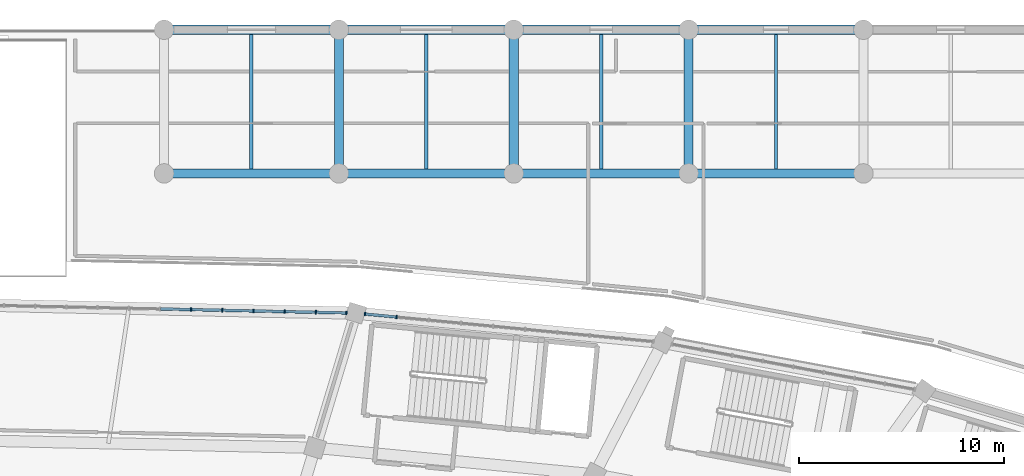
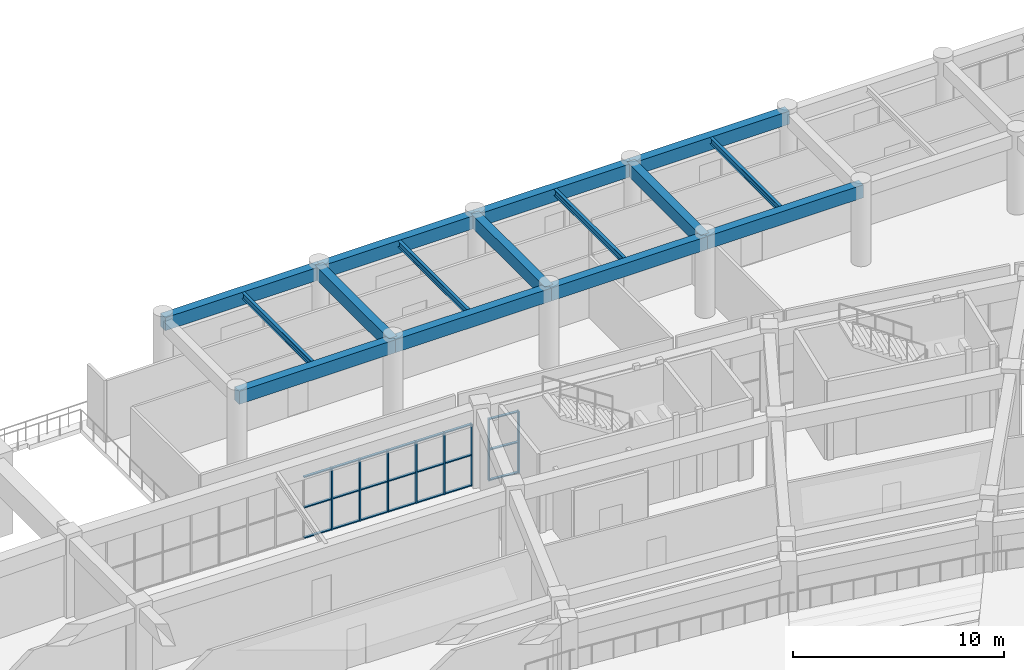
# One storey, part 73 of 152: 29 members, 15 beams, 2 elements without a shape of their own.
"""IFC4 building model written with IfcOpenShell, lengths in metres."""

import ifcopenshell
import ifcopenshell.guid

model = None  # the IFC model being written
_history = None  # IfcOwnerHistory: only IFC2X3 demands one
_inside = {}  # id of a spatial element -> (the spatial element, [elements in it])
_under = {}  # id of a project, library or spatial element -> (it, [spatial elements below it])
_declared = {}  # id of a project -> (the project, [libraries it declares])
_typed = {}  # id of a type object -> (the type object, [elements of that type])
_made_of = {}  # id of a material, layer set ... -> (it, [elements and type objects made of it])


def new_model(schema):
    """Start an empty IFC model of exactly this schema.

    Asked for "IFC4X3", IfcOpenShell would pick the latest addendum, in which some entities
    have other attributes; the version numbers below select the first issue.
    IFC2X3 requires an IfcOwnerHistory on every rooted entity: one is made here for all.
    """
    global model, _history
    if schema == "IFC4X3":
        model = ifcopenshell.file(schema_version=(4, 3, 0, 0))
    else:
        model = ifcopenshell.file(schema=schema)
    _inside.clear()
    _under.clear()
    _declared.clear()
    _typed.clear()
    _made_of.clear()
    _history = None
    if model.schema == "IFC2X3":
        org = make("IfcOrganization", Name="unknown")
        user = make(
            "IfcPersonAndOrganization",
            ThePerson=make("IfcPerson", FamilyName="unknown"),
            TheOrganization=org,
        )
        app = make(
            "IfcApplication",
            ApplicationDeveloper=org,
            Version="unknown",
            ApplicationFullName="unknown",
            ApplicationIdentifier="unknown",
        )
        _history = make(
            "IfcOwnerHistory",
            OwningUser=user,
            OwningApplication=app,
            ChangeAction="ADDED",
            CreationDate=0,
        )
    return model


def make(cls, **values):
    """One entity of the class cls with the attributes given. An attribute that is None is left unset."""
    return model.create_entity(
        cls, **{name: value for name, value in values.items() if value is not None}
    )


def rooted(cls, **values):
    """An entity with a GlobalId (a new one), such as an element, a storey or a relation."""
    return make(cls, GlobalId=ifcopenshell.guid.new(), OwnerHistory=_history, **values)


def si_unit(unit_type, name, prefix=None):
    """IfcSIUnit, for example si_unit("LENGTHUNIT", "METRE", prefix="MILLI")."""
    return make("IfcSIUnit", UnitType=unit_type, Prefix=prefix, Name=name)


def assignment(units):
    """IfcUnitAssignment: the units of a project."""
    return None if units is None else make("IfcUnitAssignment", Units=units)


def point(xyz):
    """IfcCartesianPoint."""
    return None if xyz is None else make("IfcCartesianPoint", Coordinates=xyz)


def direction(xyz):
    """IfcDirection."""
    return None if xyz is None else make("IfcDirection", DirectionRatios=xyz)


def frame(location, z_axis=None, x_axis=None):
    """IfcAxis2Placement3D, a coordinate frame: its origin and axes. An axis left out is left unset."""
    return make(
        "IfcAxis2Placement3D",
        Location=point(location),
        Axis=direction(z_axis),
        RefDirection=direction(x_axis),
    )


def frame_2d(location, x_axis=None):
    """IfcAxis2Placement2D, a coordinate frame in the plane: its origin and x axis."""
    return make(
        "IfcAxis2Placement2D", Location=point(location), RefDirection=direction(x_axis)
    )


def origin():
    """The frame at (0, 0, 0) with its axes left unset."""
    return frame((0.0, 0.0, 0.0))


def origin_2d():
    """The frame at (0, 0) in the plane with its x axis left unset."""
    return frame_2d((0.0, 0.0))


def place(relative_to, where):
    """IfcLocalPlacement: puts the frame where relative to a parent placement (None: the world)."""
    return make(
        "IfcLocalPlacement", PlacementRelTo=relative_to, RelativePlacement=where
    )


def context(
    kind, dimensions, precision=None, world=None, true_north=None, identifier=None
):
    """IfcGeometricRepresentationContext, for example the 3D "Model" context."""
    return make(
        "IfcGeometricRepresentationContext",
        ContextIdentifier=identifier,
        ContextType=kind,
        CoordinateSpaceDimension=dimensions,
        Precision=precision,
        WorldCoordinateSystem=world,
        TrueNorth=true_north,
    )


def subcontext(parent, identifier, kind, view, scale=None):
    """IfcGeometricRepresentationSubContext, for example "Body" below "Model"."""
    return make(
        "IfcGeometricRepresentationSubContext",
        ContextIdentifier=identifier,
        ContextType=kind,
        ParentContext=parent,
        TargetScale=scale,
        TargetView=view,
    )


def project(units=None, contexts=None):
    """IfcProject with its units and contexts."""
    return rooted(
        "IfcProject",
        Name="project",
        RepresentationContexts=contexts,
        UnitsInContext=assignment(units),
    )


def spatial(cls, under=None, at=None, **own):
    """A site, building, storey or space (cls), placed at a placement, below another one or the project."""
    s = rooted(cls, ObjectPlacement=at, **own)
    if under is not None:
        _under.setdefault(under.id(), (under, []))[1].append(s)
    return s


def profile(cls, at=None, kind="AREA", **sizes):
    """A parametric profile (cls). Its sizes go by their IFC names, for example OverallWidth=200.0."""
    return make(cls, ProfileType=kind, Position=at, **sizes)


def rectangle(**sizes):
    """IfcRectangleProfileDef."""
    return profile("IfcRectangleProfileDef", **sizes)


def i_section(**sizes):
    """IfcIShapeProfileDef."""
    return profile("IfcIShapeProfileDef", **sizes)


def extrude(swept, where, along, depth):
    """IfcExtrudedAreaSolid: the profile swept, set in the frame where, extruded along a direction by depth."""
    return make(
        "IfcExtrudedAreaSolid",
        SweptArea=swept,
        Position=where,
        ExtrudedDirection=direction(along),
        Depth=depth,
    )


def shape(context_of_items, identifier, shape_type, items):
    """IfcShapeRepresentation: the items that make up one representation, for example the "Body"."""
    return make(
        "IfcShapeRepresentation",
        ContextOfItems=context_of_items,
        RepresentationIdentifier=identifier,
        RepresentationType=shape_type,
        Items=items,
    )


def material(Name=None, Category=None):
    """IfcMaterial."""
    return make("IfcMaterial", Name=Name, Category=Category)


def layer(
    of_material, thickness, ventilated=None, Name=None, Category=None, Priority=None
):
    """IfcMaterialLayer: one layer of a wall or slab, of a material (None: an air gap)."""
    return make(
        "IfcMaterialLayer",
        Material=of_material,
        LayerThickness=thickness,
        IsVentilated=ventilated,
        Name=Name,
        Category=Category,
        Priority=Priority,
    )


def layer_set(layers, Name=None):
    """IfcMaterialLayerSet."""
    return make("IfcMaterialLayerSet", MaterialLayers=layers, LayerSetName=Name)


def material_profile(
    of_material, cross_section, Name=None, Category=None, Priority=None
):
    """IfcMaterialProfile: a cross section and its material."""
    return make(
        "IfcMaterialProfile",
        Name=Name,
        Material=of_material,
        Profile=cross_section,
        Priority=Priority,
        Category=Category,
    )


def profile_set(profiles, Name=None, composite=None):
    """IfcMaterialProfileSet."""
    return make(
        "IfcMaterialProfileSet",
        Name=Name,
        MaterialProfiles=profiles,
        CompositeProfile=composite,
    )


def made_of(thing, what):
    """Note that an element or type object is made of a material, layer set ...; save() writes the relation."""
    if what is not None:
        _made_of.setdefault(what.id(), (what, []))[1].append(thing)
    return thing


def type_object(cls, material=None, **own):
    """A type object (cls), such as IfcWallType, which elements share."""
    return made_of(rooted(cls, **own), material)


def element(
    cls,
    number,
    at=None,
    inside=None,
    cuts=None,
    type_object=None,
    material=None,
    context=None,
    identifier="Body",
    shape_type=None,
    held_by="IfcProductDefinitionShape",
    body=None,
    shapes=None,
    **own,
):
    """One element of the class cls, such as IfcWall. Its Tag is "e" and its number.

    at: its placement. inside: the storey or other place that contains it. cuts: it is an
    opening in that element (IfcRelVoidsElement). A single representation is given by context,
    identifier, shape_type and body (its items); several are given by shapes. held_by: the class
    of the entity that holds the representations. save() writes the other relations.
    """
    e = rooted(cls, Tag="e%d" % number, ObjectPlacement=at, **own)
    if body is not None:
        shapes = [shape(context, identifier, shape_type, body)]
    if shapes is not None:
        e.Representation = make(held_by, Representations=shapes)
    if inside is not None:
        _inside.setdefault(inside.id(), (inside, []))[1].append(e)
    if cuts is not None:
        rooted(
            "IfcRelVoidsElement", RelatingBuildingElement=cuts, RelatedOpeningElement=e
        )
    if type_object is not None:
        _typed.setdefault(type_object.id(), (type_object, []))[1].append(e)
    return made_of(e, material)


def aggregate(whole, parts):
    """IfcRelAggregates: a whole, such as a stair, and the parts it consists of."""
    return rooted("IfcRelAggregates", RelatingObject=whole, RelatedObjects=parts)


def save(model, path):
    """Write the relations noted so far, then the file.

    IfcRelAggregates (storeys below a building ...), IfcRelContainedInSpatialStructure (elements
    in a storey), IfcRelDefinesByType, IfcRelAssociatesMaterial and IfcRelDeclares: one each for
    every whole, place, type object, material and project.
    """
    for whole, parts in _under.values():
        aggregate(whole, parts)
    for where, things in _inside.values():
        rooted(
            "IfcRelContainedInSpatialStructure",
            RelatedElements=things,
            RelatingStructure=where,
        )
    for kind, things in _typed.values():
        rooted("IfcRelDefinesByType", RelatedObjects=things, RelatingType=kind)
    for what, things in _made_of.values():
        rooted("IfcRelAssociatesMaterial", RelatedObjects=things, RelatingMaterial=what)
    for by, libraries in _declared.values():
        rooted("IfcRelDeclares", RelatingContext=by, RelatedDefinitions=libraries)
    model.write(path)


model = new_model("IFC4")

# Units and contexts
model_context = context("Model", 3, precision=1e-05, world=origin(), true_north=direction((0.0, 1.0)))
body_context = subcontext(model_context, "Body", "Model", "MODEL_VIEW")
ifc_project = project(units=[si_unit("LENGTHUNIT", "METRE"), si_unit("AREAUNIT", "SQUARE_METRE"), si_unit("VOLUMEUNIT", "CUBIC_METRE"), si_unit("PLANEANGLEUNIT", "RADIAN"), si_unit("MASSUNIT", "GRAM", prefix="KILO")], contexts=[model_context])

# Site, building, storey
site_placement = place(None, origin())
site = spatial("IfcSite", under=ifc_project, at=site_placement, CompositionType="ELEMENT")
building_placement = place(site_placement, origin())
building = spatial("IfcBuilding", under=site, at=building_placement, Name="Mphavela Belvedere Stadium", CompositionType="ELEMENT")
storey_placement = place(building_placement, frame((0.0, 0.0, 5.39990234375)))
storey = spatial("IfcBuildingStorey", under=building, at=storey_placement, Name="L01", CompositionType="ELEMENT", Elevation=5.39990234375)

# Beams
ifc_material_1 = material(Name="Steel S355", Category="steel")
ifc_material_profile_1 = material_profile(ifc_material_1, i_section(OverallWidth=0.169921875, OverallDepth=0.360107421875, WebThickness=0.008056640625, FlangeThickness=0.0126953125, at=origin_2d()), Name="IPE 360")
ifc_profile_set_1 = profile_set([ifc_material_profile_1], Name="Steel S355")
beam_type_1 = type_object("IfcBeamType", Name="BM-JOIST-IPE360", PredefinedType="JOIST", material=ifc_profile_set_1)
for number, where, z_axis, x_axis, name in (
    (1, (132.037109375, 167.22509765625, 4.360107421875), (0.0, 1.0, 0.0), (-1.0, 0.0, 0.0), "North Mast and Ceremonial End Forecourt secondary joist L01 16-7"),
    (2, (140.555419921875, 167.22509765625, 4.360107421875), (0.0, 1.0, 0.0), (-1.0, 0.0, 0.0), "North Mast and Ceremonial End Forecourt secondary joist L01 17-7"),
    (3, (149.073974609375, 167.22509765625, 4.360107421875), (0.0, 1.0, 0.0), (-1.0, 0.0, 0.0), "North Mast and Ceremonial End Forecourt secondary joist L01 18-7"),
    (4, (157.592529296875, 167.22509765625, 4.360107421875), (0.0, 1.0, 0.0), (-1.0, 0.0, 0.0), "North Mast and Ceremonial End Forecourt secondary joist L01 19-7"),
):
    element("IfcBeam", number, at=place(storey_placement, frame(where, z_axis=z_axis, x_axis=x_axis)), inside=storey, type_object=beam_type_1, Name=name, PredefinedType="JOIST", context=body_context, shape_type="SweptSolid", body=[
        extrude(i_section(OverallWidth=0.169921875, OverallDepth=0.360107421875, WebThickness=0.008056640625, FlangeThickness=0.0126953125, at=origin_2d()), origin(), (0.0, 0.0, 1.0), 6.5498046875),
    ])
ifc_material_2 = material(Name="Concrete C40/50", Category="concrete")
ifc_material_profile_2 = material_profile(ifc_material_2, rectangle(XDim=0.449951171875, YDim=0.75, at=origin_2d()), Name="RC 450x750")
ifc_profile_set_2 = profile_set([ifc_material_profile_2], Name="Concrete C40/50")
beam_type_2 = type_object("IfcBeamType", Name="BM-RC450x750", PredefinedType="BEAM", material=ifc_profile_set_2)
for number, where, z_axis, x_axis, name in (
    (5, (127.778076171875, 167.0, 4.1650390625), (1.0, 0.0, 0.0), (0.0, 1.0, 0.0), "North Mast and Ceremonial End Forecourt entablature beam X L01 16-7"),
    (6, (127.778076171875, 174.0, 4.1650390625), (1.0, 0.0, 0.0), (0.0, 1.0, 0.0), "North Mast and Ceremonial End Forecourt entablature beam X L01 16-8"),
):
    element("IfcBeam", number, at=place(storey_placement, frame(where, z_axis=z_axis, x_axis=x_axis)), inside=storey, type_object=beam_type_2, Name=name, PredefinedType="BEAM", context=body_context, shape_type="SweptSolid", body=[
        extrude(rectangle(XDim=0.449951171875, YDim=0.75, at=origin_2d()), origin(), (0.0, 0.0, 1.0), 8.517822265625),
    ])
beam_1_placement = place(storey_placement, frame((136.2958984375, 167.0, 4.1650390625), z_axis=(1.0, 0.0, 0.0), x_axis=(0.0, 1.0, 0.0)))
element("IfcBeam", 7, at=beam_1_placement, inside=storey, type_object=beam_type_2, Name="North Mast and Ceremonial End Forecourt entablature beam X L01 17-7", PredefinedType="BEAM", context=body_context, shape_type="SweptSolid", body=[
    extrude(rectangle(XDim=0.449951171875, YDim=0.75, at=origin_2d()), origin(), (0.0, 0.0, 1.0), 8.51904296875),
])
beam_2_placement = place(storey_placement, frame((136.2958984375, 167.0, 4.1650390625), z_axis=(0.0, 1.0, 0.0), x_axis=(-1.0, 0.0, 0.0)))
element("IfcBeam", 8, at=beam_2_placement, inside=storey, type_object=beam_type_2, Name="North Mast and Ceremonial End Forecourt entablature beam Y L01 17-7", PredefinedType="BEAM", context=body_context, shape_type="SweptSolid", body=[
    extrude(rectangle(XDim=0.449951171875, YDim=0.75, at=origin_2d()), origin(), (0.0, 0.0, 1.0), 7.0),
])
beam_3_placement = place(storey_placement, frame((136.2958984375, 174.0, 4.1650390625), z_axis=(1.0, 0.0, 0.0), x_axis=(0.0, 1.0, 0.0)))
element("IfcBeam", 9, at=beam_3_placement, inside=storey, type_object=beam_type_2, Name="North Mast and Ceremonial End Forecourt entablature beam X L01 17-8", PredefinedType="BEAM", context=body_context, shape_type="SweptSolid", body=[
    extrude(rectangle(XDim=0.449951171875, YDim=0.75, at=origin_2d()), origin(), (0.0, 0.0, 1.0), 8.51904296875),
])
beam_4_placement = place(storey_placement, frame((144.81494140625, 167.0, 4.1650390625), z_axis=(1.0, 0.0, 0.0), x_axis=(0.0, 1.0, 0.0)))
element("IfcBeam", 10, at=beam_4_placement, inside=storey, type_object=beam_type_2, Name="North Mast and Ceremonial End Forecourt entablature beam X L01 18-7", PredefinedType="BEAM", context=body_context, shape_type="SweptSolid", body=[
    extrude(rectangle(XDim=0.449951171875, YDim=0.75, at=origin_2d()), origin(), (0.0, 0.0, 1.0), 8.51806640625),
])
beam_5_placement = place(storey_placement, frame((144.81494140625, 167.0, 4.1650390625), z_axis=(0.0, 1.0, 0.0), x_axis=(-1.0, 0.0, 0.0)))
element("IfcBeam", 11, at=beam_5_placement, inside=storey, type_object=beam_type_2, Name="North Mast and Ceremonial End Forecourt entablature beam Y L01 18-7", PredefinedType="BEAM", context=body_context, shape_type="SweptSolid", body=[
    extrude(rectangle(XDim=0.449951171875, YDim=0.75, at=origin_2d()), origin(), (0.0, 0.0, 1.0), 7.0),
])
beam_6_placement = place(storey_placement, frame((144.81494140625, 174.0, 4.1650390625), z_axis=(1.0, 0.0, 0.0), x_axis=(0.0, 1.0, 0.0)))
element("IfcBeam", 12, at=beam_6_placement, inside=storey, type_object=beam_type_2, Name="North Mast and Ceremonial End Forecourt entablature beam X L01 18-8", PredefinedType="BEAM", context=body_context, shape_type="SweptSolid", body=[
    extrude(rectangle(XDim=0.449951171875, YDim=0.75, at=origin_2d()), origin(), (0.0, 0.0, 1.0), 8.51806640625),
])
beam_7_placement = place(storey_placement, frame((153.3330078125, 167.0, 4.1650390625), z_axis=(1.0, 0.0, 0.0), x_axis=(0.0, 1.0, 0.0)))
element("IfcBeam", 13, at=beam_7_placement, inside=storey, type_object=beam_type_2, Name="North Mast and Ceremonial End Forecourt entablature beam X L01 19-7", PredefinedType="BEAM", context=body_context, shape_type="SweptSolid", body=[
    extrude(rectangle(XDim=0.449951171875, YDim=0.75, at=origin_2d()), origin(), (0.0, 0.0, 1.0), 8.51904296875),
])
beam_8_placement = place(storey_placement, frame((153.3330078125, 167.0, 4.1650390625), z_axis=(0.0, 1.0, 0.0), x_axis=(-1.0, 0.0, 0.0)))
element("IfcBeam", 14, at=beam_8_placement, inside=storey, type_object=beam_type_2, Name="North Mast and Ceremonial End Forecourt entablature beam Y L01 19-7", PredefinedType="BEAM", context=body_context, shape_type="SweptSolid", body=[
    extrude(rectangle(XDim=0.449951171875, YDim=0.75, at=origin_2d()), origin(), (0.0, 0.0, 1.0), 7.0),
])
beam_9_placement = place(storey_placement, frame((153.3330078125, 174.0, 4.1650390625), z_axis=(1.0, 0.0, 0.0), x_axis=(0.0, 1.0, 0.0)))
element("IfcBeam", 15, at=beam_9_placement, inside=storey, type_object=beam_type_2, Name="North Mast and Ceremonial End Forecourt entablature beam X L01 19-8", PredefinedType="BEAM", context=body_context, shape_type="SweptSolid", body=[
    extrude(rectangle(XDim=0.449951171875, YDim=0.75, at=origin_2d()), origin(), (0.0, 0.0, 1.0), 8.51904296875),
])

# Curtain wall, members
ifc_material_3 = material(Name="Anodised bronze unitised curtain wall framing")
ifc_layer_1 = layer(ifc_material_3, 0.205078125)
ifc_layer_set_1 = layer_set([ifc_layer_1], Name="Anodised bronze unitised curtain wall framing")
curtain_wall_type_1 = type_object("IfcCurtainWallType", Name="CW-UNIT-06", PredefinedType="USERDEFINED", material=ifc_layer_set_1)
curtain_wall_1_placement = place(storey_placement, origin())
curtain_wall_1 = element("IfcCurtainWall", 16, at=curtain_wall_1_placement, inside=storey, type_object=curtain_wall_type_1, Name="Belvedere colonnade curtain wall L01-11", ObjectType="UNITISED CURTAIN WALL", PredefinedType="USERDEFINED")
ifc_material_4 = material(Name="Anodised bronze extruded aluminium", Category="aluminium")
ifc_material_profile_3 = material_profile(ifc_material_4, rectangle(XDim=0.179931640625, YDim=0.06494140625, at=origin_2d()), Name="CW-MUL 180x65")
ifc_profile_set_3 = profile_set([ifc_material_profile_3], Name="Anodised bronze extruded aluminium")
member_type_1 = type_object("IfcMemberType", Name="CWM-180x65", PredefinedType="MULLION", material=ifc_profile_set_3)
member_1_placement = place(storey_placement, frame((139.104248046875, 160.004150390625, 0.0), z_axis=(0.0, 0.0, 1.0), x_axis=(-0.094922243726, -0.99548468981, 0.0)))
member_1 = element("IfcMember", 17, at=member_1_placement, type_object=member_type_1, Name="CW-06 mullion 9", PredefinedType="MULLION", context=body_context, shape_type="SweptSolid", body=[
    extrude(rectangle(XDim=0.179931640625, YDim=0.06494140625, at=origin_2d()), origin(), (0.0, 0.0, 1.0), 3.570068359375),
])
member_2_placement = place(storey_placement, frame((137.568115234375, 160.150634765625, 0.0), z_axis=(0.0, 0.0, 1.0), x_axis=(-0.094922243726, -0.99548468981, 0.0)))
member_2 = element("IfcMember", 18, at=member_2_placement, type_object=member_type_1, Name="CW-06 mullion 10", PredefinedType="MULLION", context=body_context, shape_type="SweptSolid", body=[
    extrude(rectangle(XDim=0.179931640625, YDim=0.06494140625, at=origin_2d()), origin(), (0.0, 0.0, 1.0), 3.570068359375),
])

ifc_material_5 = material(Name="Anodised bronze unitised curtain wall framing")
ifc_layer_2 = layer(ifc_material_5, 0.179931640625)
ifc_layer_set_2 = layer_set([ifc_layer_2], Name="Anodised bronze unitised curtain wall framing")
curtain_wall_type_2 = type_object("IfcCurtainWallType", Name="CW-UNIT-01", PredefinedType="USERDEFINED", material=ifc_layer_set_2)
curtain_wall_2_placement = place(storey_placement, origin())
curtain_wall_2 = element("IfcCurtainWall", 19, at=curtain_wall_2_placement, inside=storey, type_object=curtain_wall_type_2, Name="Belvedere colonnade curtain wall L01-12", ObjectType="UNITISED CURTAIN WALL", PredefinedType="USERDEFINED")
member_3_placement = place(storey_placement, frame((136.6591796875, 160.20361328125, 0.0), z_axis=(0.0, 0.0, 1.0), x_axis=(-0.021528899038, -0.999768226394, 0.0)))
member_3 = element("IfcMember", 20, at=member_3_placement, type_object=member_type_1, Name="CW-01 mullion 1", PredefinedType="MULLION", context=body_context, shape_type="SweptSolid", body=[
    extrude(rectangle(XDim=0.179931640625, YDim=0.06494140625, at=origin_2d()), origin(), (0.0, 0.0, 1.0), 3.570068359375),
])
member_4_placement = place(storey_placement, frame((135.172607421875, 160.235595703125, 0.0), z_axis=(0.0, 0.0, 1.0), x_axis=(-0.021528899038, -0.999768226394, 0.0)))
member_4 = element("IfcMember", 21, at=member_4_placement, type_object=member_type_1, Name="CW-01 mullion 2", PredefinedType="MULLION", context=body_context, shape_type="SweptSolid", body=[
    extrude(rectangle(XDim=0.179931640625, YDim=0.06494140625, at=origin_2d()), origin(), (0.0, 0.0, 1.0), 3.570068359375),
])
member_5_placement = place(storey_placement, frame((133.6533203125, 160.268310546875, 0.0), z_axis=(0.0, 0.0, 1.0), x_axis=(-0.021528899038, -0.999768226394, 0.0)))
member_5 = element("IfcMember", 22, at=member_5_placement, type_object=member_type_1, Name="CW-01 mullion 3", PredefinedType="MULLION", context=body_context, shape_type="SweptSolid", body=[
    extrude(rectangle(XDim=0.179931640625, YDim=0.06494140625, at=origin_2d()), origin(), (0.0, 0.0, 1.0), 3.570068359375),
])
member_6_placement = place(storey_placement, frame((132.134033203125, 160.301025390625, 0.0), z_axis=(0.0, 0.0, 1.0), x_axis=(-0.021528899038, -0.999768226394, 0.0)))
member_6 = element("IfcMember", 23, at=member_6_placement, type_object=member_type_1, Name="CW-01 mullion 4", PredefinedType="MULLION", context=body_context, shape_type="SweptSolid", body=[
    extrude(rectangle(XDim=0.179931640625, YDim=0.06494140625, at=origin_2d()), origin(), (0.0, 0.0, 1.0), 3.570068359375),
])
member_7_placement = place(storey_placement, frame((130.614990234375, 160.333740234375, 0.0), z_axis=(0.0, 0.0, 1.0), x_axis=(-0.021528899038, -0.999768226394, 0.0)))
member_7 = element("IfcMember", 24, at=member_7_placement, type_object=member_type_1, Name="CW-01 mullion 5", PredefinedType="MULLION", context=body_context, shape_type="SweptSolid", body=[
    extrude(rectangle(XDim=0.179931640625, YDim=0.06494140625, at=origin_2d()), origin(), (0.0, 0.0, 1.0), 3.570068359375),
])
member_8_placement = place(storey_placement, frame((129.095703125, 160.366455078125, 0.0), z_axis=(0.0, 0.0, 1.0), x_axis=(-0.021528899038, -0.999768226394, 0.0)))
member_8 = element("IfcMember", 25, at=member_8_placement, type_object=member_type_1, Name="CW-01 mullion 6", PredefinedType="MULLION", context=body_context, shape_type="SweptSolid", body=[
    extrude(rectangle(XDim=0.179931640625, YDim=0.06494140625, at=origin_2d()), origin(), (0.0, 0.0, 1.0), 3.570068359375),
])

# Member
ifc_material_6 = material(Name="Anodised bronze extruded aluminium", Category="aluminium")
ifc_material_profile_4 = material_profile(ifc_material_6, rectangle(XDim=0.139892578125, YDim=0.06005859375, at=origin_2d()), Name="CW-TRN 140x60")
ifc_profile_set_4 = profile_set([ifc_material_profile_4], Name="Anodised bronze extruded aluminium")
member_type_2 = type_object("IfcMemberType", Name="CWT-140x60", PredefinedType="USERDEFINED", material=ifc_profile_set_4)
member_9_placement = place(storey_placement, frame((139.07177734375, 160.007080078125, 0.030029296875), z_axis=(-0.995479870054, 0.094972776718, 0.0), x_axis=(-0.094972776718, -0.995479870054, 0.0)))
member_9 = element("IfcMember", 26, at=member_9_placement, type_object=member_type_2, Name="CW-06 transom 9.1", ObjectType="TRANSOM", PredefinedType="USERDEFINED", context=body_context, shape_type="SweptSolid", body=[
    extrude(rectangle(XDim=0.139892578125, YDim=0.06005859375, at=origin_2d()), origin(), (0.0, 0.0, 1.0), 1.47802734375),
])

member_10_placement = place(storey_placement, frame((139.07177734375, 160.007080078125, 1.78515625), z_axis=(-0.995479870054, 0.094972776718, 0.0), x_axis=(-0.094972776718, -0.995479870054, 0.0)))
member_10 = element("IfcMember", 27, at=member_10_placement, type_object=member_type_2, Name="CW-06 transom 9.2", ObjectType="TRANSOM", PredefinedType="USERDEFINED", context=body_context, shape_type="SweptSolid", body=[
    extrude(rectangle(XDim=0.139892578125, YDim=0.06005859375, at=origin_2d()), origin(), (0.0, 0.0, 1.0), 1.47802734375),
])

member_11_placement = place(storey_placement, frame((139.07177734375, 160.007080078125, 3.5400390625), z_axis=(-0.995479870054, 0.094972776718, 0.0), x_axis=(-0.094972776718, -0.995479870054, 0.0)))
member_11 = element("IfcMember", 28, at=member_11_placement, type_object=member_type_2, Name="CW-06 transom 9.3", ObjectType="TRANSOM", PredefinedType="USERDEFINED", context=body_context, shape_type="SweptSolid", body=[
    extrude(rectangle(XDim=0.139892578125, YDim=0.06005859375, at=origin_2d()), origin(), (0.0, 0.0, 1.0), 1.47802734375),
])

aggregate(curtain_wall_1, [member_1, member_2, member_9, member_10, member_11])

member_12_placement = place(storey_placement, frame((136.626708984375, 160.204345703125, 0.030029296875), z_axis=(-0.999769672187, 0.021461653619, 0.0), x_axis=(-0.021461653619, -0.999769672187, 0.0)))
member_12 = element("IfcMember", 29, at=member_12_placement, type_object=member_type_2, Name="CW-01 transom 1.1", ObjectType="TRANSOM", PredefinedType="USERDEFINED", context=body_context, shape_type="SweptSolid", body=[
    extrude(rectangle(XDim=0.139892578125, YDim=0.06005859375, at=origin_2d()), origin(), (0.0, 0.0, 1.0), 1.421875),
])

member_13_placement = place(storey_placement, frame((136.626708984375, 160.204345703125, 1.78515625), z_axis=(-0.999769672187, 0.021461653619, 0.0), x_axis=(-0.021461653619, -0.999769672187, 0.0)))
member_13 = element("IfcMember", 30, at=member_13_placement, type_object=member_type_2, Name="CW-01 transom 1.2", ObjectType="TRANSOM", PredefinedType="USERDEFINED", context=body_context, shape_type="SweptSolid", body=[
    extrude(rectangle(XDim=0.139892578125, YDim=0.06005859375, at=origin_2d()), origin(), (0.0, 0.0, 1.0), 1.421875),
])

member_14_placement = place(storey_placement, frame((136.626708984375, 160.204345703125, 3.5400390625), z_axis=(-0.999769672187, 0.021461653619, 0.0), x_axis=(-0.021461653619, -0.999769672187, 0.0)))
member_14 = element("IfcMember", 31, at=member_14_placement, type_object=member_type_2, Name="CW-01 transom 1.3", ObjectType="TRANSOM", PredefinedType="USERDEFINED", context=body_context, shape_type="SweptSolid", body=[
    extrude(rectangle(XDim=0.139892578125, YDim=0.06005859375, at=origin_2d()), origin(), (0.0, 0.0, 1.0), 1.421875),
])

member_15_placement = place(storey_placement, frame((135.139892578125, 160.236328125, 0.030029296875), z_axis=(-0.999769149851, 0.021485972327, 0.0), x_axis=(-0.021485972327, -0.999769149851, 0.0)))
member_15 = element("IfcMember", 32, at=member_15_placement, type_object=member_type_2, Name="CW-01 transom 2.1", ObjectType="TRANSOM", PredefinedType="USERDEFINED", context=body_context, shape_type="SweptSolid", body=[
    extrude(rectangle(XDim=0.139892578125, YDim=0.06005859375, at=origin_2d()), origin(), (0.0, 0.0, 1.0), 1.454345703125),
])

member_16_placement = place(storey_placement, frame((135.139892578125, 160.236328125, 1.78515625), z_axis=(-0.999769149851, 0.021485972327, 0.0), x_axis=(-0.021485972327, -0.999769149851, 0.0)))
member_16 = element("IfcMember", 33, at=member_16_placement, type_object=member_type_2, Name="CW-01 transom 2.2", ObjectType="TRANSOM", PredefinedType="USERDEFINED", context=body_context, shape_type="SweptSolid", body=[
    extrude(rectangle(XDim=0.139892578125, YDim=0.06005859375, at=origin_2d()), origin(), (0.0, 0.0, 1.0), 1.454345703125),
])

member_17_placement = place(storey_placement, frame((135.139892578125, 160.236328125, 3.5400390625), z_axis=(-0.999769149851, 0.021485972327, 0.0), x_axis=(-0.021485972327, -0.999769149851, 0.0)))
member_17 = element("IfcMember", 34, at=member_17_placement, type_object=member_type_2, Name="CW-01 transom 2.3", ObjectType="TRANSOM", PredefinedType="USERDEFINED", context=body_context, shape_type="SweptSolid", body=[
    extrude(rectangle(XDim=0.139892578125, YDim=0.06005859375, at=origin_2d()), origin(), (0.0, 0.0, 1.0), 1.454345703125),
])

member_18_placement = place(storey_placement, frame((133.620849609375, 160.26904296875, 0.030029296875), z_axis=(-0.999769227323, 0.021482367147, 0.0), x_axis=(-0.021482367147, -0.999769227323, 0.0)))
member_18 = element("IfcMember", 35, at=member_18_placement, type_object=member_type_2, Name="CW-01 transom 3.1", ObjectType="TRANSOM", PredefinedType="USERDEFINED", context=body_context, shape_type="SweptSolid", body=[
    extrude(rectangle(XDim=0.139892578125, YDim=0.06005859375, at=origin_2d()), origin(), (0.0, 0.0, 1.0), 1.45458984375),
])

member_19_placement = place(storey_placement, frame((133.620849609375, 160.26904296875, 1.78515625), z_axis=(-0.999769227323, 0.021482367147, 0.0), x_axis=(-0.021482367147, -0.999769227323, 0.0)))
member_19 = element("IfcMember", 36, at=member_19_placement, type_object=member_type_2, Name="CW-01 transom 3.2", ObjectType="TRANSOM", PredefinedType="USERDEFINED", context=body_context, shape_type="SweptSolid", body=[
    extrude(rectangle(XDim=0.139892578125, YDim=0.06005859375, at=origin_2d()), origin(), (0.0, 0.0, 1.0), 1.45458984375),
])

member_20_placement = place(storey_placement, frame((133.620849609375, 160.26904296875, 3.5400390625), z_axis=(-0.999769227323, 0.021482367147, 0.0), x_axis=(-0.021482367147, -0.999769227323, 0.0)))
member_20 = element("IfcMember", 37, at=member_20_placement, type_object=member_type_2, Name="CW-01 transom 3.3", ObjectType="TRANSOM", PredefinedType="USERDEFINED", context=body_context, shape_type="SweptSolid", body=[
    extrude(rectangle(XDim=0.139892578125, YDim=0.06005859375, at=origin_2d()), origin(), (0.0, 0.0, 1.0), 1.45458984375),
])

member_21_placement = place(storey_placement, frame((132.1015625, 160.3017578125, 0.030029296875), z_axis=(-0.999769149851, 0.021485972327, 0.0), x_axis=(-0.021485972327, -0.999769149851, 0.0)))
member_21 = element("IfcMember", 38, at=member_21_placement, type_object=member_type_2, Name="CW-01 transom 4.1", ObjectType="TRANSOM", PredefinedType="USERDEFINED", context=body_context, shape_type="SweptSolid", body=[
    extrude(rectangle(XDim=0.139892578125, YDim=0.06005859375, at=origin_2d()), origin(), (0.0, 0.0, 1.0), 1.454345703125),
])

member_22_placement = place(storey_placement, frame((132.1015625, 160.3017578125, 1.78515625), z_axis=(-0.999769149851, 0.021485972327, 0.0), x_axis=(-0.021485972327, -0.999769149851, 0.0)))
member_22 = element("IfcMember", 39, at=member_22_placement, type_object=member_type_2, Name="CW-01 transom 4.2", ObjectType="TRANSOM", PredefinedType="USERDEFINED", context=body_context, shape_type="SweptSolid", body=[
    extrude(rectangle(XDim=0.139892578125, YDim=0.06005859375, at=origin_2d()), origin(), (0.0, 0.0, 1.0), 1.454345703125),
])

member_23_placement = place(storey_placement, frame((132.1015625, 160.3017578125, 3.5400390625), z_axis=(-0.999769149851, 0.021485972327, 0.0), x_axis=(-0.021485972327, -0.999769149851, 0.0)))
member_23 = element("IfcMember", 40, at=member_23_placement, type_object=member_type_2, Name="CW-01 transom 4.3", ObjectType="TRANSOM", PredefinedType="USERDEFINED", context=body_context, shape_type="SweptSolid", body=[
    extrude(rectangle(XDim=0.139892578125, YDim=0.06005859375, at=origin_2d()), origin(), (0.0, 0.0, 1.0), 1.454345703125),
])

member_24_placement = place(storey_placement, frame((130.58251953125, 160.33447265625, 0.030029296875), z_axis=(-0.999769227323, 0.021482367147, 0.0), x_axis=(-0.021482367147, -0.999769227323, 0.0)))
member_24 = element("IfcMember", 41, at=member_24_placement, type_object=member_type_2, Name="CW-01 transom 5.1", ObjectType="TRANSOM", PredefinedType="USERDEFINED", context=body_context, shape_type="SweptSolid", body=[
    extrude(rectangle(XDim=0.139892578125, YDim=0.06005859375, at=origin_2d()), origin(), (0.0, 0.0, 1.0), 1.45458984375),
])

member_25_placement = place(storey_placement, frame((130.58251953125, 160.33447265625, 1.78515625), z_axis=(-0.999769227323, 0.021482367147, 0.0), x_axis=(-0.021482367147, -0.999769227323, 0.0)))
member_25 = element("IfcMember", 42, at=member_25_placement, type_object=member_type_2, Name="CW-01 transom 5.2", ObjectType="TRANSOM", PredefinedType="USERDEFINED", context=body_context, shape_type="SweptSolid", body=[
    extrude(rectangle(XDim=0.139892578125, YDim=0.06005859375, at=origin_2d()), origin(), (0.0, 0.0, 1.0), 1.45458984375),
])

member_26_placement = place(storey_placement, frame((130.58251953125, 160.33447265625, 3.5400390625), z_axis=(-0.999769227323, 0.021482367147, 0.0), x_axis=(-0.021482367147, -0.999769227323, 0.0)))
member_26 = element("IfcMember", 43, at=member_26_placement, type_object=member_type_2, Name="CW-01 transom 5.3", ObjectType="TRANSOM", PredefinedType="USERDEFINED", context=body_context, shape_type="SweptSolid", body=[
    extrude(rectangle(XDim=0.139892578125, YDim=0.06005859375, at=origin_2d()), origin(), (0.0, 0.0, 1.0), 1.45458984375),
])

member_27_placement = place(storey_placement, frame((129.063232421875, 160.3671875, 0.030029296875), z_axis=(-0.999769227323, 0.021482367147, 0.0), x_axis=(-0.021482367147, -0.999769227323, 0.0)))
member_27 = element("IfcMember", 44, at=member_27_placement, type_object=member_type_2, Name="CW-01 transom 6.1", ObjectType="TRANSOM", PredefinedType="USERDEFINED", context=body_context, shape_type="SweptSolid", body=[
    extrude(rectangle(XDim=0.139892578125, YDim=0.06005859375, at=origin_2d()), origin(), (0.0, 0.0, 1.0), 1.45458984375),
])

member_28_placement = place(storey_placement, frame((129.063232421875, 160.3671875, 1.78515625), z_axis=(-0.999769227323, 0.021482367147, 0.0), x_axis=(-0.021482367147, -0.999769227323, 0.0)))
member_28 = element("IfcMember", 45, at=member_28_placement, type_object=member_type_2, Name="CW-01 transom 6.2", ObjectType="TRANSOM", PredefinedType="USERDEFINED", context=body_context, shape_type="SweptSolid", body=[
    extrude(rectangle(XDim=0.139892578125, YDim=0.06005859375, at=origin_2d()), origin(), (0.0, 0.0, 1.0), 1.45458984375),
])

member_29_placement = place(storey_placement, frame((129.063232421875, 160.3671875, 3.5400390625), z_axis=(-0.999769227323, 0.021482367147, 0.0), x_axis=(-0.021482367147, -0.999769227323, 0.0)))
member_29 = element("IfcMember", 46, at=member_29_placement, type_object=member_type_2, Name="CW-01 transom 6.3", ObjectType="TRANSOM", PredefinedType="USERDEFINED", context=body_context, shape_type="SweptSolid", body=[
    extrude(rectangle(XDim=0.139892578125, YDim=0.06005859375, at=origin_2d()), origin(), (0.0, 0.0, 1.0), 1.45458984375),
])

aggregate(curtain_wall_2, [member_3, member_4, member_5, member_6, member_7, member_8, member_12, member_13, member_14, member_15, member_16, member_17, member_18, member_19, member_20, member_21, member_22, member_23, member_24, member_25, member_26, member_27, member_28, member_29])

save(model, "model.ifc")
